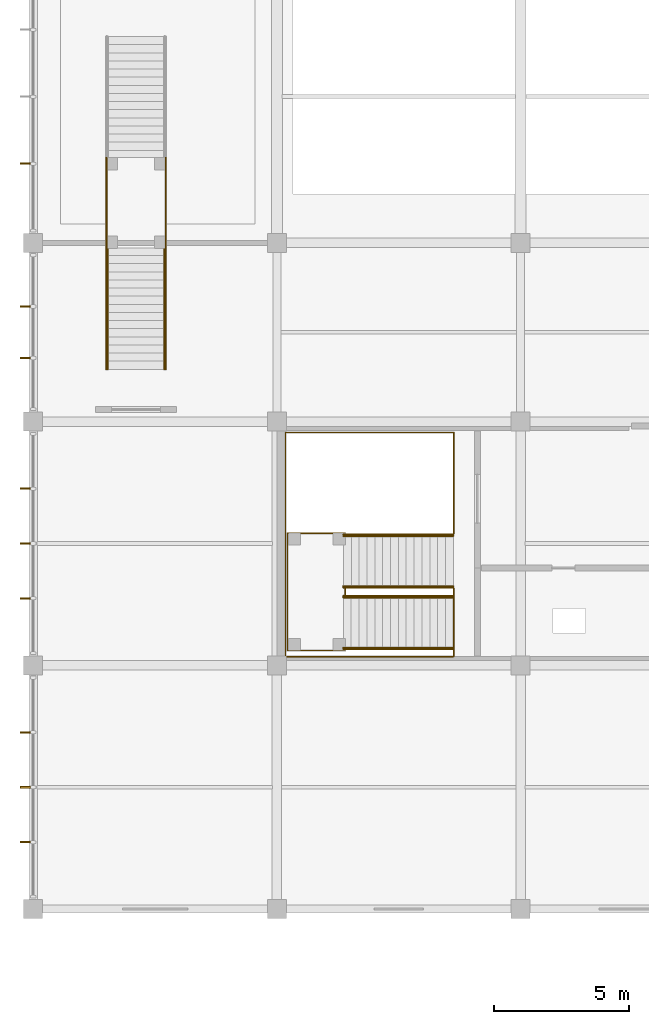
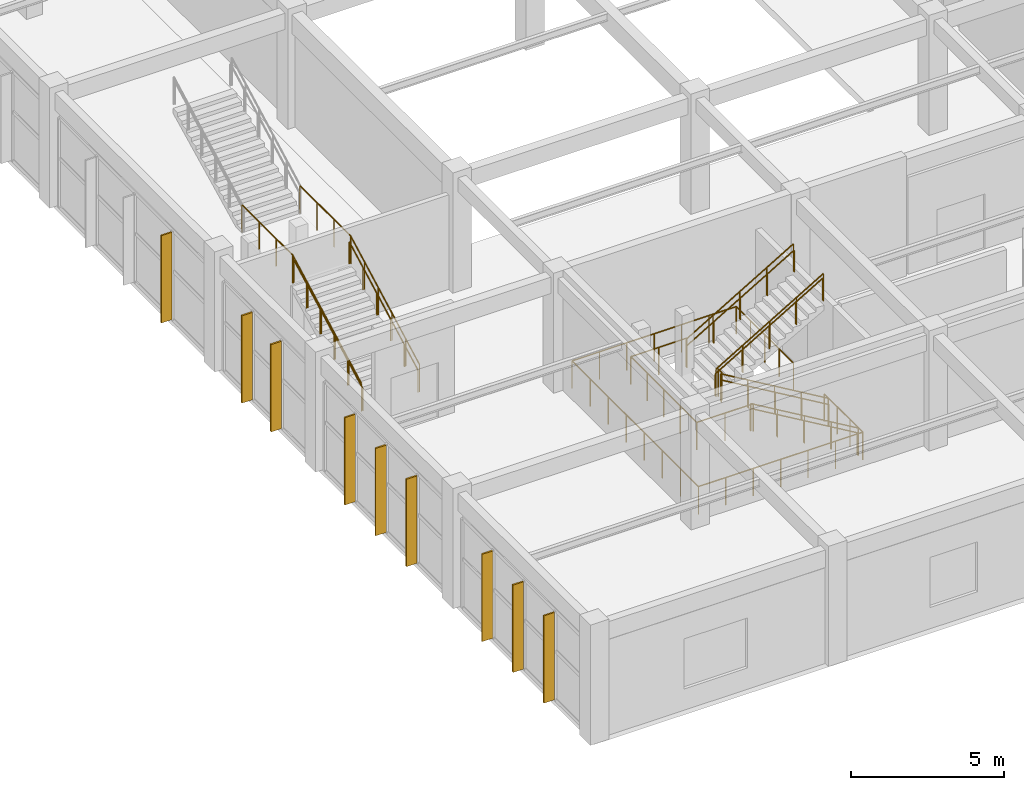
# One storey, part 57 of 74: 17 railings, 9 shading devices.
"""IFC4 building model written with IfcOpenShell, lengths in metres."""

from ifc_helpers import new_model, si_unit, direction, frame, origin, origin_2d, place, context, subcontext, project, spatial, rectangle, circle, extrude, material, type_object, element, save


model = new_model("IFC4")

# Units and contexts
model_context = context("Model", 3, precision=1e-05, world=origin(), true_north=direction((0.0, 1.0)))
body_context = subcontext(model_context, "Body", "Model", "MODEL_VIEW")
ifc_project = project(units=[si_unit("LENGTHUNIT", "METRE"), si_unit("AREAUNIT", "SQUARE_METRE"), si_unit("VOLUMEUNIT", "CUBIC_METRE"), si_unit("PLANEANGLEUNIT", "RADIAN"), si_unit("MASSUNIT", "GRAM", prefix="KILO")], contexts=[model_context])

# Site, building, storey
site_placement = place(None, origin())
site = spatial("IfcSite", under=ifc_project, at=site_placement, CompositionType="ELEMENT")
building_placement = place(site_placement, origin())
building = spatial("IfcBuilding", under=site, at=building_placement, Name="Suirenkawa Promenade Aquatics Centre", CompositionType="ELEMENT")
storey_placement = place(building_placement, frame((0.0, 0.0, 4.800048828125)))
storey = spatial("IfcBuildingStorey", under=building, at=storey_placement, Name="L01", CompositionType="ELEMENT", Elevation=4.800048828125)

# Railings
ifc_material_1 = material(Name="Marine-grade stainless steel Grade 316L", Category="steel")
railing_type_1 = type_object("IfcRailingType", Name="RLT-GUARD-1120", PredefinedType="GUARDRAIL", material=ifc_material_1)
for number, where, name in (
    (1, (15.514892578125, 15.760009765625, 0.0), "Guardrail GRD-01 RL-0021"),
    (2, (15.514892578125, 13.800048828125, 0.0), "Guardrail GRD-01 RL-0023"),
):
    element("IfcRailing", number, at=place(storey_placement, frame(where)), inside=storey, type_object=railing_type_1, Name=name, PredefinedType="GUARDRAIL", context=body_context, shape_type="SweptSolid", body=[
        extrude(circle(Radius=0.02392578125, at=origin_2d()), frame((0.0, 0.0, 1.09619140625), z_axis=(-0.860840976868, 0.0, 0.508874063541), x_axis=(0.0, -1.0, 0.0)), (0.0, 0.0, 1.0), 4.716064453125),
        extrude(circle(Radius=0.02099609375, at=origin_2d()), origin(), (0.0, 0.0, 1.0), 1.072021484375),
        extrude(circle(Radius=0.02099609375, at=origin_2d()), frame((-1.014892578125, 0.0, 0.60009765625)), (0.0, 0.0, 1.0), 1.072021484375),
        extrude(circle(Radius=0.02099609375, at=origin_2d()), frame((-2.02978515625, 0.0, 1.199951171875)), (0.0, 0.0, 1.0), 1.072021484375),
        extrude(circle(Radius=0.02099609375, at=origin_2d()), frame((-3.044921875, 0.0, 1.7998046875)), (0.0, 0.0, 1.0), 1.072021484375),
        extrude(circle(Radius=0.02099609375, at=origin_2d()), frame((-4.059814453125, 0.0, 2.39990234375)), (0.0, 0.0, 1.0), 1.072021484375),
    ])
for number, where, name in (
    (3, (11.455078125, 16.070068359375, 2.39990234375), "Guardrail GRD-01 RL-0025"),
    (4, (11.455078125, 18.030029296875, 2.39990234375), "Guardrail GRD-01 RL-0027"),
):
    element("IfcRailing", number, at=place(storey_placement, frame(where)), inside=storey, type_object=railing_type_1, Name=name, PredefinedType="GUARDRAIL", context=body_context, shape_type="SweptSolid", body=[
        extrude(circle(Radius=0.02392578125, at=origin_2d()), frame((0.0, 0.0, 1.09619140625), z_axis=(0.860818299379, 0.0, 0.50891242415), x_axis=(0.0, 1.0, 0.0)), (0.0, 0.0, 1.0), 4.71630859375),
        extrude(circle(Radius=0.02099609375, at=origin_2d()), origin(), (0.0, 0.0, 1.0), 1.072021484375),
        extrude(circle(Radius=0.02099609375, at=origin_2d()), frame((1.014892578125, 0.0, 0.60009765625)), (0.0, 0.0, 1.0), 1.072021484375),
        extrude(circle(Radius=0.02099609375, at=origin_2d()), frame((2.02978515625, 0.0, 1.2001953125)), (0.0, 0.0, 1.0), 1.072021484375),
        extrude(circle(Radius=0.02099609375, at=origin_2d()), frame((3.044921875, 0.0, 1.800048828125)), (0.0, 0.0, 1.0), 1.072021484375),
        extrude(circle(Radius=0.02099609375, at=origin_2d()), frame((4.059814453125, 0.0, 2.400146484375)), (0.0, 0.0, 1.0), 1.072021484375),
    ])
railing_1_placement = place(storey_placement, frame((11.52001953125, 13.75, 2.39990234375)))
element("IfcRailing", 5, at=railing_1_placement, inside=storey, type_object=railing_type_1, Name="Guardrail GRD-01 RL-0029", PredefinedType="GUARDRAIL", context=body_context, shape_type="SweptSolid", body=[
    extrude(circle(Radius=0.02392578125, at=origin_2d()), frame((0.0, 0.0, 1.09619140625), z_axis=(-1.0, 0.0, 0.0), x_axis=(0.0, -1.0, 0.0)), (0.0, 0.0, 1.0), 2.130126953125),
    extrude(circle(Radius=0.02392578125, at=origin_2d()), frame((-2.130126953125, 0.0, 1.09619140625), z_axis=(0.0, 1.0, 0.0), x_axis=(-1.0, 0.0, 0.0)), (0.0, 0.0, 1.0), 4.330078125),
    extrude(circle(Radius=0.02392578125, at=origin_2d()), frame((-2.130126953125, 4.330078125, 1.09619140625), z_axis=(1.0, 0.0, 0.0), x_axis=(0.0, 1.0, 0.0)), (0.0, 0.0, 1.0), 2.130126953125),
    extrude(circle(Radius=0.02099609375, at=origin_2d()), origin(), (0.0, 0.0, 1.0), 1.072021484375),
    extrude(circle(Radius=0.02099609375, at=origin_2d()), frame((-1.06494140625, 0.0, 0.0)), (0.0, 0.0, 1.0), 1.072021484375),
    extrude(circle(Radius=0.02099609375, at=origin_2d()), frame((-2.130126953125, 0.0, 0.0)), (0.0, 0.0, 1.0), 1.072021484375),
    extrude(circle(Radius=0.02099609375, at=origin_2d()), frame((-2.130126953125, 1.08251953125, 0.0)), (0.0, 0.0, 1.0), 1.072021484375),
    extrude(circle(Radius=0.02099609375, at=origin_2d()), frame((-2.130126953125, 2.1650390625, 0.0)), (0.0, 0.0, 1.0), 1.072021484375),
    extrude(circle(Radius=0.02099609375, at=origin_2d()), frame((-2.130126953125, 3.24755859375, 0.0)), (0.0, 0.0, 1.0), 1.072021484375),
    extrude(circle(Radius=0.02099609375, at=origin_2d()), frame((-2.130126953125, 4.330078125, 0.0)), (0.0, 0.0, 1.0), 1.072021484375),
    extrude(circle(Radius=0.02099609375, at=origin_2d()), frame((-1.06494140625, 4.330078125, 0.0)), (0.0, 0.0, 1.0), 1.072021484375),
    extrude(circle(Radius=0.02099609375, at=origin_2d()), frame((0.0, 4.330078125, 0.0)), (0.0, 0.0, 1.0), 1.072021484375),
])
railing_2_placement = place(storey_placement, frame((11.52001953125, 15.7900390625, 2.39990234375)))
element("IfcRailing", 6, at=railing_2_placement, inside=storey, type_object=railing_type_1, Name="Guardrail GRD-01 RL-0030", PredefinedType="GUARDRAIL", context=body_context, shape_type="SweptSolid", body=[
    extrude(circle(Radius=0.02392578125, at=origin_2d()), frame((0.0, 0.0, 1.09619140625), z_axis=(0.0, 1.0, 0.0), x_axis=(-1.0, 0.0, 0.0)), (0.0, 0.0, 1.0), 0.25),
    extrude(circle(Radius=0.02099609375, at=origin_2d()), origin(), (0.0, 0.0, 1.0), 1.072021484375),
    extrude(circle(Radius=0.02099609375, at=origin_2d()), frame((0.0, 0.25, 0.0)), (0.0, 0.0, 1.0), 1.072021484375),
])
for number, where, name in (
    (7, (2.705078125, 24.1298828125, 0.0), "Guardrail GRD-01 RL-0351"),
    (8, (4.89501953125, 24.1298828125, 0.0), "Guardrail GRD-01 RL-0353"),
):
    element("IfcRailing", number, at=place(storey_placement, frame(where)), inside=storey, type_object=railing_type_1, Name=name, PredefinedType="GUARDRAIL", context=body_context, shape_type="SweptSolid", body=[
        extrude(circle(Radius=0.02392578125, at=origin_2d()), frame((0.0, 0.0, 1.09619140625), z_axis=(0.0, 0.882360891967, 0.470573327259), x_axis=(-1.0, 0.0, 0.0)), (0.0, 0.0, 1.0), 5.099853515625),
        extrude(circle(Radius=0.02099609375, at=origin_2d()), origin(), (0.0, 0.0, 1.0), 1.072021484375),
        extrude(circle(Radius=0.02099609375, at=origin_2d()), frame((0.0, 0.89990234375, 0.47998046875)), (0.0, 0.0, 1.0), 1.072021484375),
        extrude(circle(Radius=0.02099609375, at=origin_2d()), frame((0.0, 1.800048828125, 0.9599609375)), (0.0, 0.0, 1.0), 1.072021484375),
        extrude(circle(Radius=0.02099609375, at=origin_2d()), frame((0.0, 2.699951171875, 1.43994140625)), (0.0, 0.0, 1.0), 1.072021484375),
        extrude(circle(Radius=0.02099609375, at=origin_2d()), frame((0.0, 3.60009765625, 1.919921875)), (0.0, 0.0, 1.0), 1.072021484375),
        extrude(circle(Radius=0.02099609375, at=origin_2d()), frame((0.0, 4.5, 2.39990234375)), (0.0, 0.0, 1.0), 1.072021484375),
    ])
for number, where, name in (
    (9, (2.705078125, 28.60498046875, 2.39990234375), "Guardrail GRD-01 RL-0359"),
    (10, (4.89501953125, 28.60498046875, 2.39990234375), "Guardrail GRD-01 RL-0360"),
):
    element("IfcRailing", number, at=place(storey_placement, frame(where)), inside=storey, type_object=railing_type_1, Name=name, PredefinedType="GUARDRAIL", context=body_context, shape_type="SweptSolid", body=[
        extrude(circle(Radius=0.02392578125, at=origin_2d()), frame((0.0, 0.0, 1.09619140625), z_axis=(0.0, 1.0, 0.0), x_axis=(-1.0, 0.0, 0.0)), (0.0, 0.0, 1.0), 3.340087890625),
        extrude(circle(Radius=0.02099609375, at=origin_2d()), origin(), (0.0, 0.0, 1.0), 1.072021484375),
        extrude(circle(Radius=0.02099609375, at=origin_2d()), frame((0.0, 1.11328125, 0.0)), (0.0, 0.0, 1.0), 1.072021484375),
        extrude(circle(Radius=0.02099609375, at=origin_2d()), frame((0.0, 2.226806640625, 0.0)), (0.0, 0.0, 1.0), 1.072021484375),
        extrude(circle(Radius=0.02099609375, at=origin_2d()), frame((0.0, 3.340087890625, 0.0)), (0.0, 0.0, 1.0), 1.072021484375),
    ])
railing_3_placement = place(storey_placement, frame((15.530029296875, 18.06005859375, 0.0)))
element("IfcRailing", 11, at=railing_3_placement, inside=storey, type_object=railing_type_1, Name="Guardrail GRD-01 RL-0403", PredefinedType="GUARDRAIL", context=body_context, shape_type="SweptSolid", body=[
    extrude(circle(Radius=0.02392578125, at=origin_2d()), frame((0.0, 0.0, 1.09619140625), z_axis=(0.0, 1.0, 0.0), x_axis=(-1.0, 0.0, 0.0)), (0.0, 0.0, 1.0), 3.739990234375),
    extrude(circle(Radius=0.02392578125, at=origin_2d()), frame((0.0, 3.739990234375, 1.09619140625), z_axis=(-1.0, 0.0, 0.0), x_axis=(0.0, -1.0, 0.0)), (0.0, 0.0, 1.0), 6.2099609375),
    extrude(circle(Radius=0.02392578125, at=origin_2d()), frame((-6.2099609375, 3.739990234375, 1.09619140625), z_axis=(0.0, -1.0, 0.0), x_axis=(1.0, 0.0, 0.0)), (0.0, 0.0, 1.0), 8.280029296875),
    extrude(circle(Radius=0.02392578125, at=origin_2d()), frame((-6.2099609375, -4.5400390625, 1.09619140625), z_axis=(1.0, 0.0, 0.0), x_axis=(0.0, 1.0, 0.0)), (0.0, 0.0, 1.0), 6.2099609375),
    extrude(circle(Radius=0.02392578125, at=origin_2d()), frame((0.0, -4.5400390625, 1.09619140625), z_axis=(0.0, 1.0, 0.0), x_axis=(-1.0, 0.0, 0.0)), (0.0, 0.0, 1.0), 2.52001953125),
    extrude(circle(Radius=0.02099609375, at=origin_2d()), origin(), (0.0, 0.0, 1.0), 1.072021484375),
    extrude(circle(Radius=0.02099609375, at=origin_2d()), frame((0.0, 0.93505859375, 0.0)), (0.0, 0.0, 1.0), 1.072021484375),
    extrude(circle(Radius=0.02099609375, at=origin_2d()), frame((0.0, 1.8701171875, 0.0)), (0.0, 0.0, 1.0), 1.072021484375),
    extrude(circle(Radius=0.02099609375, at=origin_2d()), frame((0.0, 2.804931640625, 0.0)), (0.0, 0.0, 1.0), 1.072021484375),
    extrude(circle(Radius=0.02099609375, at=origin_2d()), frame((0.0, 3.739990234375, 0.0)), (0.0, 0.0, 1.0), 1.072021484375),
    extrude(circle(Radius=0.02099609375, at=origin_2d()), frame((-1.034912109375, 3.739990234375, 0.0)), (0.0, 0.0, 1.0), 1.072021484375),
    extrude(circle(Radius=0.02099609375, at=origin_2d()), frame((-2.070068359375, 3.739990234375, 0.0)), (0.0, 0.0, 1.0), 1.072021484375),
    extrude(circle(Radius=0.02099609375, at=origin_2d()), frame((-3.10498046875, 3.739990234375, 0.0)), (0.0, 0.0, 1.0), 1.072021484375),
    extrude(circle(Radius=0.02099609375, at=origin_2d()), frame((-4.139892578125, 3.739990234375, 0.0)), (0.0, 0.0, 1.0), 1.072021484375),
    extrude(circle(Radius=0.02099609375, at=origin_2d()), frame((-5.175048828125, 3.739990234375, 0.0)), (0.0, 0.0, 1.0), 1.072021484375),
    extrude(circle(Radius=0.02099609375, at=origin_2d()), frame((-6.2099609375, 3.739990234375, 0.0)), (0.0, 0.0, 1.0), 1.072021484375),
    extrude(circle(Radius=0.02099609375, at=origin_2d()), frame((-6.2099609375, 2.55712890625, 0.0)), (0.0, 0.0, 1.0), 1.072021484375),
    extrude(circle(Radius=0.02099609375, at=origin_2d()), frame((-6.2099609375, 1.374267578125, 0.0)), (0.0, 0.0, 1.0), 1.072021484375),
    extrude(circle(Radius=0.02099609375, at=origin_2d()), frame((-6.2099609375, 0.19140625, 0.0)), (0.0, 0.0, 1.0), 1.072021484375),
    extrude(circle(Radius=0.02099609375, at=origin_2d()), frame((-6.2099609375, -0.991455078125, 0.0)), (0.0, 0.0, 1.0), 1.072021484375),
    extrude(circle(Radius=0.02099609375, at=origin_2d()), frame((-6.2099609375, -2.17431640625, 0.0)), (0.0, 0.0, 1.0), 1.072021484375),
    extrude(circle(Radius=0.02099609375, at=origin_2d()), frame((-6.2099609375, -3.357177734375, 0.0)), (0.0, 0.0, 1.0), 1.072021484375),
    extrude(circle(Radius=0.02099609375, at=origin_2d()), frame((-6.2099609375, -4.5400390625, 0.0)), (0.0, 0.0, 1.0), 1.072021484375),
    extrude(circle(Radius=0.02099609375, at=origin_2d()), frame((-5.175048828125, -4.5400390625, 0.0)), (0.0, 0.0, 1.0), 1.072021484375),
    extrude(circle(Radius=0.02099609375, at=origin_2d()), frame((-4.139892578125, -4.5400390625, 0.0)), (0.0, 0.0, 1.0), 1.072021484375),
    extrude(circle(Radius=0.02099609375, at=origin_2d()), frame((-3.10498046875, -4.5400390625, 0.0)), (0.0, 0.0, 1.0), 1.072021484375),
    extrude(circle(Radius=0.02099609375, at=origin_2d()), frame((-2.070068359375, -4.5400390625, 0.0)), (0.0, 0.0, 1.0), 1.072021484375),
    extrude(circle(Radius=0.02099609375, at=origin_2d()), frame((-1.034912109375, -4.5400390625, 0.0)), (0.0, 0.0, 1.0), 1.072021484375),
    extrude(circle(Radius=0.02099609375, at=origin_2d()), frame((0.0, -4.5400390625, 0.0)), (0.0, 0.0, 1.0), 1.072021484375),
    extrude(circle(Radius=0.02099609375, at=origin_2d()), frame((0.0, -3.699951171875, 0.0)), (0.0, 0.0, 1.0), 1.072021484375),
    extrude(circle(Radius=0.02099609375, at=origin_2d()), frame((0.0, -2.860107421875, 0.0)), (0.0, 0.0, 1.0), 1.072021484375),
    extrude(circle(Radius=0.02099609375, at=origin_2d()), frame((0.0, -2.02001953125, 0.0)), (0.0, 0.0, 1.0), 1.072021484375),
])
railing_type_2 = type_object("IfcRailingType", Name="RLT-HANDRAIL-900", PredefinedType="HANDRAIL", material=ifc_material_1)
for number, where, name in (
    (12, (15.514892578125, 15.7099609375, 0.0), "Handrail HRL-01 RL-0022"),
    (13, (15.514892578125, 13.85009765625, 0.0), "Handrail HRL-01 RL-0024"),
):
    element("IfcRailing", number, at=place(storey_placement, frame(where)), inside=storey, type_object=railing_type_2, Name=name, PredefinedType="HANDRAIL", context=body_context, shape_type="SweptSolid", body=[
        extrude(circle(Radius=0.02392578125, at=origin_2d()), frame((0.0, 0.0, 0.8759765625), z_axis=(-0.860840976868, 0.0, 0.508874063541), x_axis=(0.0, -1.0, 0.0)), (0.0, 0.0, 1.0), 4.716064453125),
        extrude(circle(Radius=0.02099609375, at=origin_2d()), origin(), (0.0, 0.0, 1.0), 0.851806640625),
        extrude(circle(Radius=0.02099609375, at=origin_2d()), frame((-1.014892578125, 0.0, 0.60009765625)), (0.0, 0.0, 1.0), 0.851806640625),
        extrude(circle(Radius=0.02099609375, at=origin_2d()), frame((-2.02978515625, 0.0, 1.199951171875)), (0.0, 0.0, 1.0), 0.851806640625),
        extrude(circle(Radius=0.02099609375, at=origin_2d()), frame((-3.044921875, 0.0, 1.7998046875)), (0.0, 0.0, 1.0), 0.851806640625),
        extrude(circle(Radius=0.02099609375, at=origin_2d()), frame((-4.059814453125, 0.0, 2.39990234375)), (0.0, 0.0, 1.0), 0.851806640625),
    ])
for number, where, name in (
    (14, (11.455078125, 16.1201171875, 2.39990234375), "Handrail HRL-01 RL-0026"),
    (15, (11.455078125, 17.97998046875, 2.39990234375), "Handrail HRL-01 RL-0028"),
):
    element("IfcRailing", number, at=place(storey_placement, frame(where)), inside=storey, type_object=railing_type_2, Name=name, PredefinedType="HANDRAIL", context=body_context, shape_type="SweptSolid", body=[
        extrude(circle(Radius=0.02392578125, at=origin_2d()), frame((0.0, 0.0, 0.8759765625), z_axis=(0.860818299379, 0.0, 0.50891242415), x_axis=(0.0, 1.0, 0.0)), (0.0, 0.0, 1.0), 4.71630859375),
        extrude(circle(Radius=0.02099609375, at=origin_2d()), origin(), (0.0, 0.0, 1.0), 0.851806640625),
        extrude(circle(Radius=0.02099609375, at=origin_2d()), frame((1.014892578125, 0.0, 0.60009765625)), (0.0, 0.0, 1.0), 0.851806640625),
        extrude(circle(Radius=0.02099609375, at=origin_2d()), frame((2.02978515625, 0.0, 1.2001953125)), (0.0, 0.0, 1.0), 0.851806640625),
        extrude(circle(Radius=0.02099609375, at=origin_2d()), frame((3.044921875, 0.0, 1.800048828125)), (0.0, 0.0, 1.0), 0.851806640625),
        extrude(circle(Radius=0.02099609375, at=origin_2d()), frame((4.059814453125, 0.0, 2.400146484375)), (0.0, 0.0, 1.0), 0.851806640625),
    ])
for number, where, name in (
    (16, (2.7548828125, 24.1298828125, 0.0), "Handrail HRL-01 RL-0352"),
    (17, (4.844970703125, 24.1298828125, 0.0), "Handrail HRL-01 RL-0354"),
):
    element("IfcRailing", number, at=place(storey_placement, frame(where)), inside=storey, type_object=railing_type_2, Name=name, PredefinedType="HANDRAIL", context=body_context, shape_type="SweptSolid", body=[
        extrude(circle(Radius=0.02392578125, at=origin_2d()), frame((0.0, 0.0, 0.8759765625), z_axis=(0.0, 0.882360891967, 0.470573327259), x_axis=(-1.0, 0.0, 0.0)), (0.0, 0.0, 1.0), 5.099853515625),
        extrude(circle(Radius=0.02099609375, at=origin_2d()), origin(), (0.0, 0.0, 1.0), 0.851806640625),
        extrude(circle(Radius=0.02099609375, at=origin_2d()), frame((0.0, 0.89990234375, 0.47998046875)), (0.0, 0.0, 1.0), 0.851806640625),
        extrude(circle(Radius=0.02099609375, at=origin_2d()), frame((0.0, 1.800048828125, 0.9599609375)), (0.0, 0.0, 1.0), 0.851806640625),
        extrude(circle(Radius=0.02099609375, at=origin_2d()), frame((0.0, 2.699951171875, 1.43994140625)), (0.0, 0.0, 1.0), 0.851806640625),
        extrude(circle(Radius=0.02099609375, at=origin_2d()), frame((0.0, 3.60009765625, 1.919921875)), (0.0, 0.0, 1.0), 0.851806640625),
        extrude(circle(Radius=0.02099609375, at=origin_2d()), frame((0.0, 4.5, 2.39990234375)), (0.0, 0.0, 1.0), 0.851806640625),
    ])

# Shading devices
ifc_material_2 = material(Name="Anodised aluminium 6063-T6", Category="aluminium")
shading_device_type = type_object("IfcShadingDeviceType", Name="SDT-KOUSHI-400", PredefinedType="USERDEFINED", material=ifc_material_2)
for number, where, z_axis, x_axis, name in (
    (18, (-0.287109375, 6.674560546875, 0.0400390625), (0.0, 0.0, 1.0), (-1.0, 0.0, 0.0), "Vertical solar shading fin FN-01 FIN-0092"),
    (19, (-0.287109375, 8.699951171875, 0.0400390625), (0.0, 0.0, 1.0), (-1.0, 0.0, 0.0), "Vertical solar shading fin FN-01 FIN-0093"),
    (20, (-0.287109375, 10.7255859375, 0.0400390625), (0.0, 0.0, 1.0), (-1.0, 0.0, 0.0), "Vertical solar shading fin FN-01 FIN-0094"),
    (21, (-0.287109375, 15.674560546875, 0.0400390625), (0.0, 0.0, 1.0), (-1.0, 0.0, 0.0), "Vertical solar shading fin FN-01 FIN-0095"),
    (22, (-0.287109375, 17.699951171875, 0.0400390625), (0.0, 0.0, 1.0), (-1.0, 0.0, 0.0), "Vertical solar shading fin FN-01 FIN-0096"),
    (23, (-0.287109375, 19.7255859375, 0.0400390625), (0.0, 0.0, 1.0), (-1.0, 0.0, 0.0), "Vertical solar shading fin FN-01 FIN-0097"),
    (24, (-0.287109375, 24.549560546875, 0.0400390625), (0.0, 0.0, 1.0), (-1.0, 0.0, 0.0), "Vertical solar shading fin FN-01 FIN-0101"),
    (25, (-0.287109375, 26.450439453125, 0.0400390625), (0.0, 0.0, 1.0), (-1.0, 0.0, 0.0), "Vertical solar shading fin FN-01 FIN-0102"),
    (26, (-0.287109375, 31.724609375, 0.0400390625), (0.0, 0.0, 1.0), (-1.0, 0.0, 0.0), "Vertical solar shading fin FN-01 FIN-0103"),
):
    element("IfcShadingDevice", number, at=place(storey_placement, frame(where, z_axis=z_axis, x_axis=x_axis)), inside=storey, type_object=shading_device_type, Name=name, ObjectType="FIN", PredefinedType="USERDEFINED", context=body_context, shape_type="SweptSolid", body=[
        extrude(rectangle(XDim=0.39990234375, YDim=0.06005859375, at=origin_2d()), origin(), (0.0, 0.0, 1.0), 3.489990234375),
    ])

save(model, "model.ifc")
